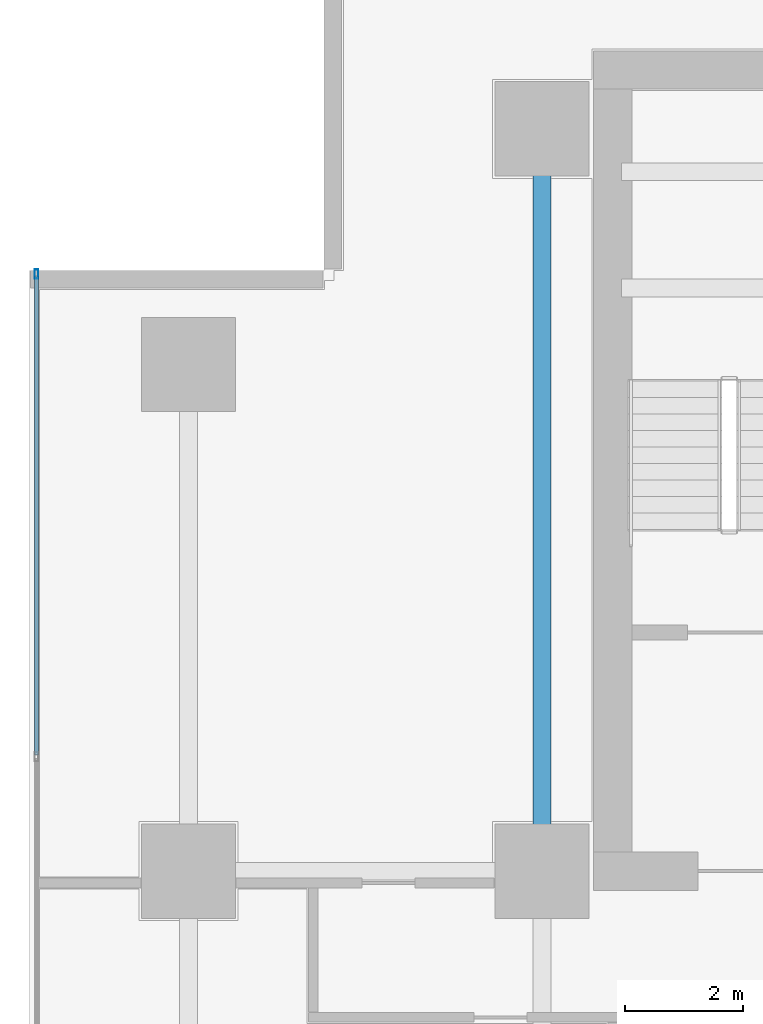
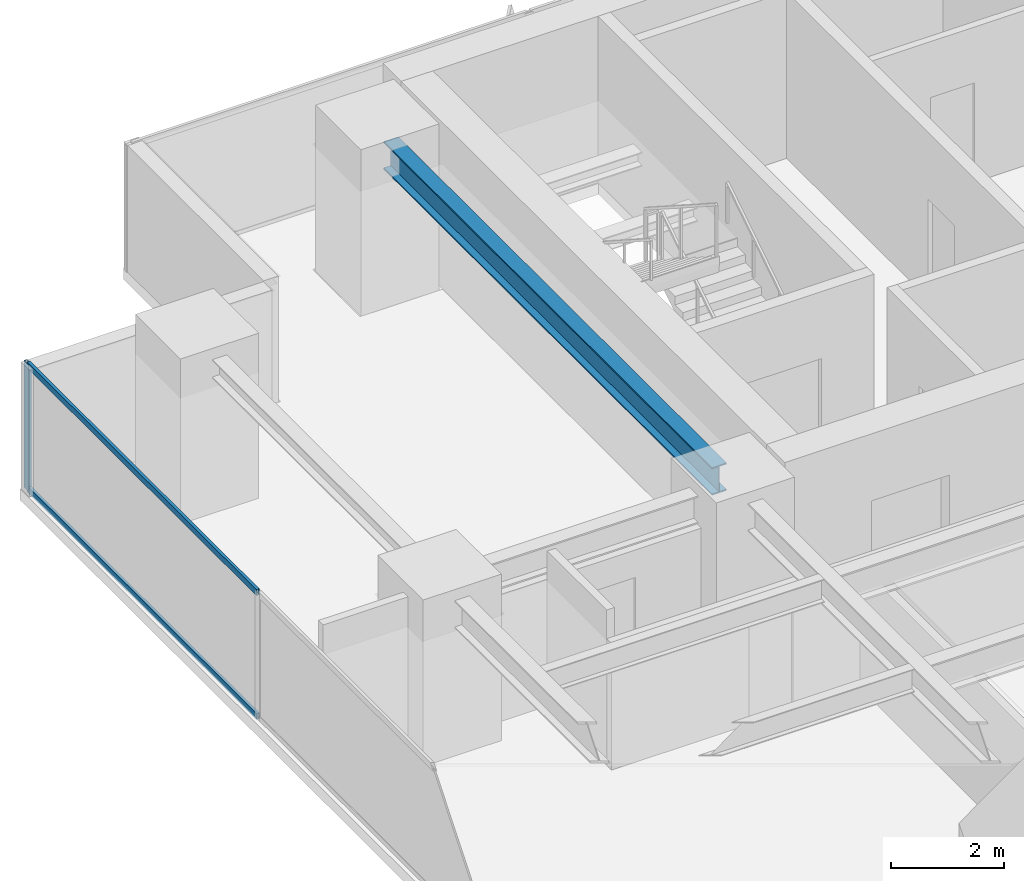
# One storey, part 18 of 37: 3 members, 1 beam, 1 element without a shape of its own.
"""IFC4 building model written with IfcOpenShell, lengths in metres."""

from ifc_helpers import new_model, si_unit, direction, frame, origin, origin_2d, place, context, subcontext, project, spatial, hollow_rectangle, i_section, extrude, source, transform, mapped, material, layer, layer_set, material_profile, profile_set, type_object, element, aggregate, save


model = new_model("IFC4")

# Units and contexts
model_context = context("Model", 3, precision=1e-05, world=origin(), true_north=direction((0.0, 1.0)))
body_context = subcontext(model_context, "Body", "Model", "MODEL_VIEW")
ifc_project = project(units=[si_unit("LENGTHUNIT", "METRE"), si_unit("AREAUNIT", "SQUARE_METRE"), si_unit("VOLUMEUNIT", "CUBIC_METRE"), si_unit("PLANEANGLEUNIT", "RADIAN"), si_unit("MASSUNIT", "GRAM", prefix="KILO")], contexts=[model_context])

# Site, building, storey
site_placement = place(None, origin())
site = spatial("IfcSite", under=ifc_project, at=site_placement, CompositionType="ELEMENT")
building_placement = place(site_placement, origin())
building = spatial("IfcBuilding", under=site, at=building_placement, Name="Sumidabori Civic Tower", CompositionType="ELEMENT")
storey_placement = place(building_placement, frame((0.0, 0.0, 110.0)))
storey = spatial("IfcBuildingStorey", under=building, at=storey_placement, Name="L28", CompositionType="ELEMENT", Elevation=110.0)

# Beam
ifc_material_1 = material(Name="Steel SN490", Category="steel")
ifc_material_profile_1 = material_profile(ifc_material_1, i_section(OverallWidth=0.300048828125, OverallDepth=0.60009765625, WebThickness=0.015380859375, FlangeThickness=0.030029296875, at=origin_2d()), Name="HE 600 B")
ifc_profile_set_1 = profile_set([ifc_material_profile_1], Name="Steel SN490")
beam_type = type_object("IfcBeamType", Name="BM-GIRD-600", PredefinedType="BEAM", material=ifc_profile_set_1)
shared_shape_1 = source(origin(), body_context, "Body", "SweptSolid", [
    extrude(i_section(OverallWidth=0.300048828125, OverallDepth=0.60009765625, WebThickness=0.015380859375, FlangeThickness=0.030029296875, at=origin_2d()), origin(), (0.0, 0.0, 1.0), 11.64013671875),
])
beam_placement = place(storey_placement, frame((-16.800048828125, 10.679931640625, 3.06005859375), z_axis=(0.0, 1.0, 0.0), x_axis=(-1.0, 0.0, 0.0)))
element("IfcBeam", 1, at=beam_placement, inside=storey, type_object=beam_type, Name="Primary Girder L28 GY-28", PredefinedType="BEAM", context=body_context, shape_type="MappedRepresentation", body=[
    mapped(shared_shape_1, transform((0.0, 0.0, 0.0), x_axis=(1.0, 0.0, 0.0), y_axis=(0.0, 1.0, 0.0), z_axis=(0.0, 0.0, 1.0), scale=1.0)),
])

# Curtain wall, members
ifc_material_2 = material(Name="Anodised Bronze Aluminium AW-6063-T6", Category="aluminium")
ifc_layer = layer(ifc_material_2, 0.179931640625, Name="Anodised Bronze Aluminium AW-6063-T6")
ifc_layer_set = layer_set([ifc_layer], Name="Anodised Bronze Aluminium AW-6063-T6")
curtain_wall_type = type_object("IfcCurtainWallType", Name="CW-SYS-3", PredefinedType="NOTDEFINED", material=ifc_layer_set)
curtain_wall_placement = place(storey_placement, origin())
curtain_wall = element("IfcCurtainWall", 2, at=curtain_wall_placement, inside=storey, type_object=curtain_wall_type, Name="Curtain Wall CW:L28:R10", PredefinedType="NOTDEFINED")
ifc_material_profile_2 = material_profile(ifc_material_2, hollow_rectangle(XDim=0.06494140625, YDim=0.159912109375, WallThickness=0.0048828125, at=origin_2d()), Name="ALU MULLION 160x65")
ifc_profile_set_2 = profile_set([ifc_material_profile_2], Name="Anodised Bronze Aluminium AW-6063-T6")
member_type_1 = type_object("IfcMemberType", Name="CW-MUL-160", PredefinedType="MULLION", material=ifc_profile_set_2)
shared_shape_2 = source(origin(), body_context, "Body", "SweptSolid", [
    extrude(hollow_rectangle(XDim=0.06494140625, YDim=0.159912109375, WallThickness=0.0048828125, at=origin_2d()), origin(), (0.0, 0.0, 1.0), 2.739990234375),
])
member_1_placement = place(storey_placement, frame((-25.3798828125, 20.33740234375, 0.0), z_axis=(0.0, 0.0, 1.0), x_axis=(1.0, 0.0, 0.0)))
member_1 = element("IfcMember", 3, at=member_1_placement, type_object=member_type_1, Name="CW-3 mullion 1", PredefinedType="MULLION", context=body_context, shape_type="MappedRepresentation", body=[
    mapped(shared_shape_2, transform((0.0, 0.0, 0.0), x_axis=(1.0, 0.0, 0.0), y_axis=(0.0, 1.0, 0.0), z_axis=(0.0, 0.0, 1.0), scale=1.0)),
])
ifc_material_profile_3 = material_profile(ifc_material_2, hollow_rectangle(XDim=0.06005859375, YDim=0.1298828125, WallThickness=0.0048828125, at=origin_2d()), Name="ALU TRANSOM 130x60")
ifc_profile_set_3 = profile_set([ifc_material_profile_3], Name="Anodised Bronze Aluminium AW-6063-T6")
member_type_2 = type_object("IfcMemberType", Name="CW-TRN-130", PredefinedType="USERDEFINED", material=ifc_profile_set_3)
shared_shape_3 = source(origin(), body_context, "Body", "SweptSolid", [
    extrude(hollow_rectangle(XDim=0.06005859375, YDim=0.1298828125, WallThickness=0.0048828125, at=origin_2d()), origin(), (0.0, 0.0, 1.0), 8.13037109375),
])
member_2_placement = place(storey_placement, frame((-25.3798828125, 20.304931640625, 0.030029296875), z_axis=(0.0, -1.0, 0.0), x_axis=(1.0, 0.0, 0.0)))
member_2 = element("IfcMember", 4, at=member_2_placement, type_object=member_type_2, Name="CW-3 transom 1.1", ObjectType="TRANSOM", PredefinedType="USERDEFINED", context=body_context, shape_type="MappedRepresentation", body=[
    mapped(shared_shape_3, transform((0.0, 0.0, 0.0), x_axis=(1.0, 0.0, 0.0), y_axis=(0.0, 1.0, 0.0), z_axis=(0.0, 0.0, 1.0), scale=1.0)),
])
member_3_placement = place(storey_placement, frame((-25.3798828125, 20.304931640625, 2.7099609375), z_axis=(0.0, -1.0, 0.0), x_axis=(1.0, 0.0, 0.0)))
member_3 = element("IfcMember", 5, at=member_3_placement, type_object=member_type_2, Name="CW-3 transom 1.2", ObjectType="TRANSOM", PredefinedType="USERDEFINED", context=body_context, shape_type="MappedRepresentation", body=[
    mapped(shared_shape_3, transform((0.0, 0.0, 0.0), x_axis=(1.0, 0.0, 0.0), y_axis=(0.0, 1.0, 0.0), z_axis=(0.0, 0.0, 1.0), scale=1.0)),
])
aggregate(curtain_wall, [member_1, member_2, member_3])

save(model, "model.ifc")
